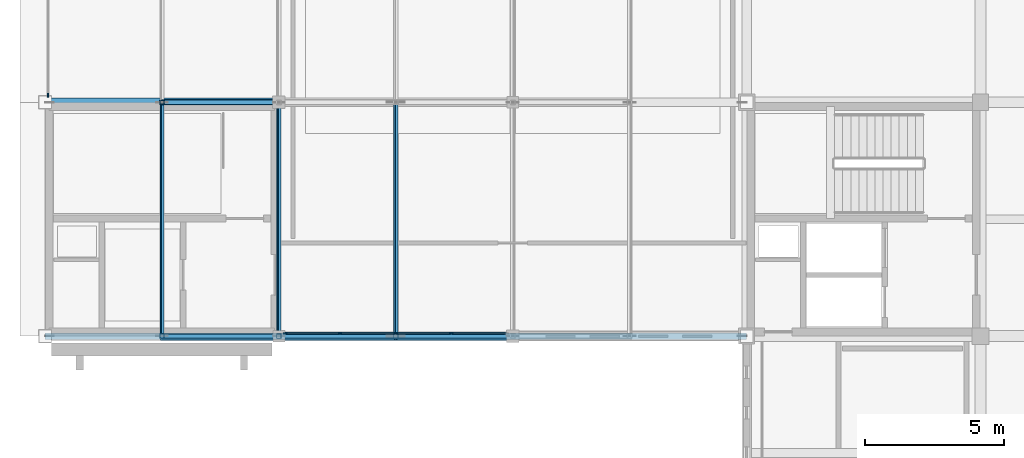
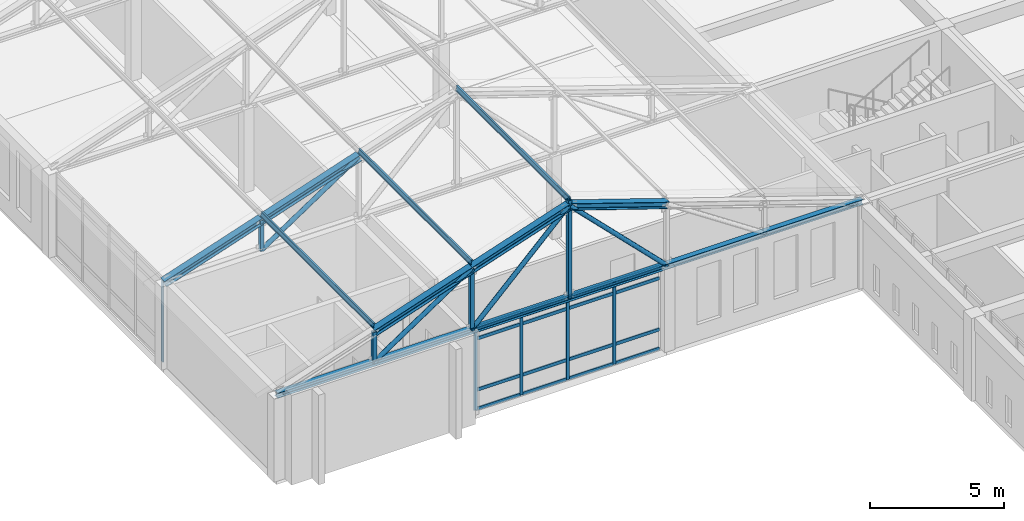
# One storey, part 11 of 56: 38 members, 2 elements without a shape of their own.
"""IFC4 building model written with IfcOpenShell, lengths in metres."""

from ifc_helpers import new_model, si_unit, direction, frame, origin, origin_2d, place, context, subcontext, project, spatial, rectangle, hollow_rectangle, hollow_circle, i_section, extrude, material, layer, layer_set, material_profile, profile_set, type_object, element, aggregate, save


model = new_model("IFC4")

# Units and contexts
model_context = context("Model", 3, precision=1e-05, world=origin(), true_north=direction((0.0, 1.0)))
body_context = subcontext(model_context, "Body", "Model", "MODEL_VIEW")
ifc_project = project(units=[si_unit("LENGTHUNIT", "METRE"), si_unit("AREAUNIT", "SQUARE_METRE"), si_unit("VOLUMEUNIT", "CUBIC_METRE"), si_unit("PLANEANGLEUNIT", "RADIAN"), si_unit("MASSUNIT", "GRAM", prefix="KILO")], contexts=[model_context])

# Site, building, storey
site_placement = place(None, origin())
site = spatial("IfcSite", under=ifc_project, at=site_placement, CompositionType="ELEMENT")
building_placement = place(site_placement, origin())
building = spatial("IfcBuilding", under=site, at=building_placement, Name="Kveldsbrygga Polytechnic", CompositionType="ELEMENT")
storey_placement = place(building_placement, frame((0.0, 0.0, 18.02001953125)))
storey = spatial("IfcBuildingStorey", under=building, at=storey_placement, Name="L04", CompositionType="ELEMENT", Elevation=18.02001953125)

# Curtain wall, member
ifc_material_1 = material(Name="Anodised aluminium AW-6060", Category="aluminium")
ifc_layer = layer(ifc_material_1, 0.199951171875)
ifc_layer_set = layer_set([ifc_layer], Name="Anodised aluminium AW-6060")
curtain_wall_type = type_object("IfcCurtainWallType", Name="CW-LANC-E", PredefinedType="USERDEFINED", material=ifc_layer_set)
curtain_wall_1_placement = place(storey_placement, origin())
curtain_wall_1 = element("IfcCurtainWall", 1, at=curtain_wall_1_placement, inside=storey, type_object=curtain_wall_type, Name="Curtain Wall CW-L04-Y-12-11", ObjectType="UNITISED CURTAIN WALL", PredefinedType="USERDEFINED")
ifc_material_profile_1 = material_profile(ifc_material_1, rectangle(XDim=0.06005859375, YDim=0.139892578125, at=origin_2d()), Name="ALU 60x140")
ifc_profile_set_1 = profile_set([ifc_material_profile_1], Name="Anodised aluminium AW-6060")
member_type_1 = type_object("IfcMemberType", Name="CW-MUL-140", PredefinedType="MULLION", material=ifc_profile_set_1)
member_1_placement = place(storey_placement, frame((100.89990234375, 92.655029296875, 0.0), z_axis=(0.0, 0.0, 1.0), x_axis=(-1.0, 0.0, 0.0)))
member_1 = element("IfcMember", 2, at=member_1_placement, type_object=member_type_1, Name="CW-05 mullion 1", PredefinedType="MULLION", context=body_context, shape_type="SweptSolid", body=[
    extrude(rectangle(XDim=0.06005859375, YDim=0.139892578125, at=origin_2d()), origin(), (0.0, 0.0, 1.0), 3.780029296875),
])
aggregate(curtain_wall_1, [member_1])

# Curtain wall, members
curtain_wall_2_placement = place(storey_placement, origin())
curtain_wall_2 = element("IfcCurtainWall", 3, at=curtain_wall_2_placement, inside=storey, type_object=curtain_wall_type, Name="Curtain Wall CW-L04-X-13-10", ObjectType="UNITISED CURTAIN WALL", PredefinedType="USERDEFINED")
member_2_placement = place(storey_placement, frame((109.425048828125, 84.10009765625, 0.0), z_axis=(0.0, 0.0, 1.0), x_axis=(0.0, 1.0, 0.0)))
member_2 = element("IfcMember", 4, at=member_2_placement, type_object=member_type_1, Name="CW-05 mullion 1", PredefinedType="MULLION", context=body_context, shape_type="SweptSolid", body=[
    extrude(rectangle(XDim=0.06005859375, YDim=0.139892578125, at=origin_2d()), origin(), (0.0, 0.0, 1.0), 3.780029296875),
])
member_3_placement = place(storey_placement, frame((111.393798828125, 84.10009765625, 0.0), z_axis=(0.0, 0.0, 1.0), x_axis=(0.0, 1.0, 0.0)))
member_3 = element("IfcMember", 5, at=member_3_placement, type_object=member_type_1, Name="CW-05 mullion 2", PredefinedType="MULLION", context=body_context, shape_type="SweptSolid", body=[
    extrude(rectangle(XDim=0.06005859375, YDim=0.139892578125, at=origin_2d()), origin(), (0.0, 0.0, 1.0), 3.780029296875),
])
member_4_placement = place(storey_placement, frame((113.392578125, 84.10009765625, 0.0), z_axis=(0.0, 0.0, 1.0), x_axis=(0.0, 1.0, 0.0)))
member_4 = element("IfcMember", 6, at=member_4_placement, type_object=member_type_1, Name="CW-05 mullion 3", PredefinedType="MULLION", context=body_context, shape_type="SweptSolid", body=[
    extrude(rectangle(XDim=0.06005859375, YDim=0.139892578125, at=origin_2d()), origin(), (0.0, 0.0, 1.0), 3.780029296875),
])
member_5_placement = place(storey_placement, frame((115.391357421875, 84.10009765625, 0.0), z_axis=(0.0, 0.0, 1.0), x_axis=(0.0, 1.0, 0.0)))
member_5 = element("IfcMember", 7, at=member_5_placement, type_object=member_type_1, Name="CW-05 mullion 4", PredefinedType="MULLION", context=body_context, shape_type="SweptSolid", body=[
    extrude(rectangle(XDim=0.06005859375, YDim=0.139892578125, at=origin_2d()), origin(), (0.0, 0.0, 1.0), 3.780029296875),
])
ifc_material_profile_2 = material_profile(ifc_material_1, rectangle(XDim=0.06005859375, YDim=0.14990234375, at=origin_2d()), Name="ALU 60x150")
ifc_profile_set_2 = profile_set([ifc_material_profile_2], Name="Anodised aluminium AW-6060")
member_type_2 = type_object("IfcMemberType", Name="CW-TRN-150", PredefinedType="USERDEFINED", material=ifc_profile_set_2)
member_6_placement = place(storey_placement, frame((109.455078125, 84.10009765625, 0.030029296875), z_axis=(1.0, 0.0, 0.0), x_axis=(0.0, 1.0, 0.0)))
member_6 = element("IfcMember", 8, at=member_6_placement, type_object=member_type_2, Name="CW-05 transom 1.1", ObjectType="TRANSOM", PredefinedType="USERDEFINED", context=body_context, shape_type="SweptSolid", body=[
    extrude(rectangle(XDim=0.06005859375, YDim=0.14990234375, at=origin_2d()), origin(), (0.0, 0.0, 1.0), 1.90869140625),
])
member_7_placement = place(storey_placement, frame((109.455078125, 84.10009765625, 0.89990234375), z_axis=(1.0, 0.0, 0.0), x_axis=(0.0, 1.0, 0.0)))
member_7 = element("IfcMember", 9, at=member_7_placement, type_object=member_type_2, Name="CW-05 transom 1.2", ObjectType="TRANSOM", PredefinedType="USERDEFINED", context=body_context, shape_type="SweptSolid", body=[
    extrude(rectangle(XDim=0.06005859375, YDim=0.14990234375, at=origin_2d()), origin(), (0.0, 0.0, 1.0), 1.90869140625),
])
member_8_placement = place(storey_placement, frame((109.455078125, 84.10009765625, 3.22998046875), z_axis=(1.0, 0.0, 0.0), x_axis=(0.0, 1.0, 0.0)))
member_8 = element("IfcMember", 10, at=member_8_placement, type_object=member_type_2, Name="CW-05 transom 1.3", ObjectType="TRANSOM", PredefinedType="USERDEFINED", context=body_context, shape_type="SweptSolid", body=[
    extrude(rectangle(XDim=0.06005859375, YDim=0.14990234375, at=origin_2d()), origin(), (0.0, 0.0, 1.0), 1.90869140625),
])
member_9_placement = place(storey_placement, frame((109.455078125, 84.10009765625, 3.75), z_axis=(1.0, 0.0, 0.0), x_axis=(0.0, 1.0, 0.0)))
member_9 = element("IfcMember", 11, at=member_9_placement, type_object=member_type_2, Name="CW-05 transom 1.4", ObjectType="TRANSOM", PredefinedType="USERDEFINED", context=body_context, shape_type="SweptSolid", body=[
    extrude(rectangle(XDim=0.06005859375, YDim=0.14990234375, at=origin_2d()), origin(), (0.0, 0.0, 1.0), 1.90869140625),
])
member_10_placement = place(storey_placement, frame((111.423828125, 84.10009765625, 0.030029296875), z_axis=(1.0, 0.0, 0.0), x_axis=(0.0, 1.0, 0.0)))
member_10 = element("IfcMember", 12, at=member_10_placement, type_object=member_type_2, Name="CW-05 transom 2.1", ObjectType="TRANSOM", PredefinedType="USERDEFINED", context=body_context, shape_type="SweptSolid", body=[
    extrude(rectangle(XDim=0.06005859375, YDim=0.14990234375, at=origin_2d()), origin(), (0.0, 0.0, 1.0), 1.938720703125),
])
member_11_placement = place(storey_placement, frame((111.423828125, 84.10009765625, 0.89990234375), z_axis=(1.0, 0.0, 0.0), x_axis=(0.0, 1.0, 0.0)))
member_11 = element("IfcMember", 13, at=member_11_placement, type_object=member_type_2, Name="CW-05 transom 2.2", ObjectType="TRANSOM", PredefinedType="USERDEFINED", context=body_context, shape_type="SweptSolid", body=[
    extrude(rectangle(XDim=0.06005859375, YDim=0.14990234375, at=origin_2d()), origin(), (0.0, 0.0, 1.0), 1.938720703125),
])
member_12_placement = place(storey_placement, frame((111.423828125, 84.10009765625, 3.22998046875), z_axis=(1.0, 0.0, 0.0), x_axis=(0.0, 1.0, 0.0)))
member_12 = element("IfcMember", 14, at=member_12_placement, type_object=member_type_2, Name="CW-05 transom 2.3", ObjectType="TRANSOM", PredefinedType="USERDEFINED", context=body_context, shape_type="SweptSolid", body=[
    extrude(rectangle(XDim=0.06005859375, YDim=0.14990234375, at=origin_2d()), origin(), (0.0, 0.0, 1.0), 1.938720703125),
])
member_13_placement = place(storey_placement, frame((111.423828125, 84.10009765625, 3.75), z_axis=(1.0, 0.0, 0.0), x_axis=(0.0, 1.0, 0.0)))
member_13 = element("IfcMember", 15, at=member_13_placement, type_object=member_type_2, Name="CW-05 transom 2.4", ObjectType="TRANSOM", PredefinedType="USERDEFINED", context=body_context, shape_type="SweptSolid", body=[
    extrude(rectangle(XDim=0.06005859375, YDim=0.14990234375, at=origin_2d()), origin(), (0.0, 0.0, 1.0), 1.938720703125),
])
member_14_placement = place(storey_placement, frame((113.422607421875, 84.10009765625, 0.030029296875), z_axis=(1.0, 0.0, 0.0), x_axis=(0.0, 1.0, 0.0)))
member_14 = element("IfcMember", 16, at=member_14_placement, type_object=member_type_2, Name="CW-05 transom 3.1", ObjectType="TRANSOM", PredefinedType="USERDEFINED", context=body_context, shape_type="SweptSolid", body=[
    extrude(rectangle(XDim=0.06005859375, YDim=0.14990234375, at=origin_2d()), origin(), (0.0, 0.0, 1.0), 1.938720703125),
])
member_15_placement = place(storey_placement, frame((113.422607421875, 84.10009765625, 0.89990234375), z_axis=(1.0, 0.0, 0.0), x_axis=(0.0, 1.0, 0.0)))
member_15 = element("IfcMember", 17, at=member_15_placement, type_object=member_type_2, Name="CW-05 transom 3.2", ObjectType="TRANSOM", PredefinedType="USERDEFINED", context=body_context, shape_type="SweptSolid", body=[
    extrude(rectangle(XDim=0.06005859375, YDim=0.14990234375, at=origin_2d()), origin(), (0.0, 0.0, 1.0), 1.938720703125),
])
member_16_placement = place(storey_placement, frame((113.422607421875, 84.10009765625, 3.22998046875), z_axis=(1.0, 0.0, 0.0), x_axis=(0.0, 1.0, 0.0)))
member_16 = element("IfcMember", 18, at=member_16_placement, type_object=member_type_2, Name="CW-05 transom 3.3", ObjectType="TRANSOM", PredefinedType="USERDEFINED", context=body_context, shape_type="SweptSolid", body=[
    extrude(rectangle(XDim=0.06005859375, YDim=0.14990234375, at=origin_2d()), origin(), (0.0, 0.0, 1.0), 1.938720703125),
])
member_17_placement = place(storey_placement, frame((113.422607421875, 84.10009765625, 3.75), z_axis=(1.0, 0.0, 0.0), x_axis=(0.0, 1.0, 0.0)))
member_17 = element("IfcMember", 19, at=member_17_placement, type_object=member_type_2, Name="CW-05 transom 3.4", ObjectType="TRANSOM", PredefinedType="USERDEFINED", context=body_context, shape_type="SweptSolid", body=[
    extrude(rectangle(XDim=0.06005859375, YDim=0.14990234375, at=origin_2d()), origin(), (0.0, 0.0, 1.0), 1.938720703125),
])
member_18_placement = place(storey_placement, frame((115.421142578125, 84.10009765625, 0.030029296875), z_axis=(1.0, 0.0, 0.0), x_axis=(0.0, 1.0, 0.0)))
member_18 = element("IfcMember", 20, at=member_18_placement, type_object=member_type_2, Name="CW-05 transom 4.1", ObjectType="TRANSOM", PredefinedType="USERDEFINED", context=body_context, shape_type="SweptSolid", body=[
    extrude(rectangle(XDim=0.06005859375, YDim=0.14990234375, at=origin_2d()), origin(), (0.0, 0.0, 1.0), 1.908935546875),
])
member_19_placement = place(storey_placement, frame((115.421142578125, 84.10009765625, 0.89990234375), z_axis=(1.0, 0.0, 0.0), x_axis=(0.0, 1.0, 0.0)))
member_19 = element("IfcMember", 21, at=member_19_placement, type_object=member_type_2, Name="CW-05 transom 4.2", ObjectType="TRANSOM", PredefinedType="USERDEFINED", context=body_context, shape_type="SweptSolid", body=[
    extrude(rectangle(XDim=0.06005859375, YDim=0.14990234375, at=origin_2d()), origin(), (0.0, 0.0, 1.0), 1.908935546875),
])
member_20_placement = place(storey_placement, frame((115.421142578125, 84.10009765625, 3.22998046875), z_axis=(1.0, 0.0, 0.0), x_axis=(0.0, 1.0, 0.0)))
member_20 = element("IfcMember", 22, at=member_20_placement, type_object=member_type_2, Name="CW-05 transom 4.3", ObjectType="TRANSOM", PredefinedType="USERDEFINED", context=body_context, shape_type="SweptSolid", body=[
    extrude(rectangle(XDim=0.06005859375, YDim=0.14990234375, at=origin_2d()), origin(), (0.0, 0.0, 1.0), 1.908935546875),
])
member_21_placement = place(storey_placement, frame((115.421142578125, 84.10009765625, 3.75), z_axis=(1.0, 0.0, 0.0), x_axis=(0.0, 1.0, 0.0)))
member_21 = element("IfcMember", 23, at=member_21_placement, type_object=member_type_2, Name="CW-05 transom 4.4", ObjectType="TRANSOM", PredefinedType="USERDEFINED", context=body_context, shape_type="SweptSolid", body=[
    extrude(rectangle(XDim=0.06005859375, YDim=0.14990234375, at=origin_2d()), origin(), (0.0, 0.0, 1.0), 1.908935546875),
])
aggregate(curtain_wall_2, [member_2, member_3, member_4, member_5, member_6, member_7, member_8, member_9, member_10, member_11, member_12, member_13, member_14, member_15, member_16, member_17, member_18, member_19, member_20, member_21])

# Members
ifc_material_2 = material(Name="Steel S355", Category="steel")
ifc_material_profile_3 = material_profile(ifc_material_2, i_section(OverallWidth=0.10009765625, OverallDepth=0.199951171875, WebThickness=0.005615234375, FlangeThickness=0.008544921875, FilletRadius=0.011962890625, at=origin_2d()), Name="IPE 200")
ifc_profile_set_3 = profile_set([ifc_material_profile_3], Name="Steel S355")
member_type_3 = type_object("IfcMemberType", Name="PRL-IPE200", PredefinedType="PURLIN", material=ifc_profile_set_3)
for number, where, z_axis, x_axis, name in (
    (24, (105.0, 84.0, 5.438232421875), (0.0, 1.0, 0.0), (-0.948683567514, 0.0, 0.316226957624), "Roof Purlin V4NE5-PRL-1-1"),
    (25, (109.199951171875, 84.0, 6.838134765625), (0.0, 1.0, 0.0), (-0.948683567514, 0.0, 0.316226957624), "Roof Purlin V4NE5-PRL-1-2"),
    (26, (113.39990234375, 84.0, 8.23828125), (0.0, 1.0, 0.0), (-0.948683567514, 0.0, 0.316226957624), "Roof Purlin V4NE5-PRL-1-3"),
):
    element("IfcMember", number, at=place(storey_placement, frame(where, z_axis=z_axis, x_axis=x_axis)), inside=storey, type_object=member_type_3, Name=name, PredefinedType="PURLIN", context=body_context, shape_type="SweptSolid", body=[
        extrude(i_section(OverallWidth=0.10009765625, OverallDepth=0.199951171875, WebThickness=0.005615234375, FlangeThickness=0.008544921875, FilletRadius=0.011962890625, at=origin_2d()), origin(), (0.0, 0.0, 1.0), 8.39990234375),
    ])
ifc_material_profile_4 = material_profile(ifc_material_2, i_section(OverallWidth=0.239990234375, OverallDepth=0.22998046875, WebThickness=0.007568359375, FlangeThickness=0.011962890625, FilletRadius=0.02099609375, at=origin_2d()), Name="HEA 240")
ifc_profile_set_4 = profile_set([ifc_material_profile_4], Name="Steel S355")
member_type_4 = type_object("IfcMemberType", Name="TR-BOT-HEA240", PredefinedType="CHORD", material=ifc_profile_set_4)
member_22_placement = place(storey_placement, frame((100.800048828125, 84.0, 3.780029296875), z_axis=(1.0, 0.0, 0.0), x_axis=(0.0, 1.0, 0.0)))
element("IfcMember", 27, at=member_22_placement, inside=storey, type_object=member_type_4, Name="Truss Bottom Chord V4NE5-T01-BC-1", PredefinedType="CHORD", context=body_context, shape_type="SweptSolid", body=[
    extrude(i_section(OverallWidth=0.239990234375, OverallDepth=0.22998046875, WebThickness=0.007568359375, FlangeThickness=0.011962890625, FilletRadius=0.02099609375, at=origin_2d()), origin(), (0.0, 0.0, 1.0), 25.199951171875),
])
ifc_material_profile_5 = material_profile(ifc_material_2, hollow_circle(Radius=0.096923828125, WallThickness=0.010009765625, at=origin_2d()), Name="CHS 193.7x10.0")
ifc_profile_set_5 = profile_set([ifc_material_profile_5], Name="Steel S355")
member_type_5 = type_object("IfcMemberType", Name="TR-DIAG-CHS194", PredefinedType="BRACE", material=ifc_profile_set_5)
member_23_placement = place(storey_placement, frame((105.0, 84.0, 3.780029296875), z_axis=(0.832042853317, 0.0, 0.554711357594), x_axis=(0.0, 1.0, 0.0)))
element("IfcMember", 28, at=member_23_placement, inside=storey, type_object=member_type_5, Name="Truss Diagonal V4NE5-T01-DG-2", PredefinedType="BRACE", context=body_context, shape_type="SweptSolid", body=[
    extrude(hollow_circle(Radius=0.096923828125, WallThickness=0.010009765625, at=origin_2d()), origin(), (0.0, 0.0, 1.0), 5.0478515625),
])
for number, where, z_axis, x_axis, name in (
    (29, (109.199951171875, 84.0, 3.780029296875), (0.707106781187, 0.0, 0.707106781187), (0.0, 1.0, 0.0), "Truss Diagonal V4NE5-T01-DG-3"),
    (30, (113.39990234375, 84.0, 7.97998046875), (0.707127332136, 0.0, -0.70708622964), (0.0, 1.0, 0.0), "Truss Diagonal V4NE5-T01-DG-4"),
):
    element("IfcMember", number, at=place(storey_placement, frame(where, z_axis=z_axis, x_axis=x_axis)), inside=storey, type_object=member_type_5, Name=name, PredefinedType="BRACE", context=body_context, shape_type="SweptSolid", body=[
        extrude(hollow_circle(Radius=0.096923828125, WallThickness=0.010009765625, at=origin_2d()), origin(), (0.0, 0.0, 1.0), 5.939697265625),
    ])
member_24_placement = place(storey_placement, frame((105.0, 92.39990234375, 3.780029296875), z_axis=(0.832042853317, 0.0, 0.554711357594), x_axis=(0.0, 1.0, 0.0)))
element("IfcMember", 31, at=member_24_placement, inside=storey, type_object=member_type_5, Name="Truss Diagonal V4NE5-T02-DG-2", PredefinedType="BRACE", context=body_context, shape_type="SweptSolid", body=[
    extrude(hollow_circle(Radius=0.096923828125, WallThickness=0.010009765625, at=origin_2d()), origin(), (0.0, 0.0, 1.0), 5.0478515625),
])
ifc_material_profile_6 = material_profile(ifc_material_2, hollow_rectangle(XDim=0.159912109375, YDim=0.159912109375, WallThickness=0.010009765625, at=origin_2d()), Name="SHS 160x160x10.0")
ifc_profile_set_6 = profile_set([ifc_material_profile_6], Name="Steel S355")
member_type_6 = type_object("IfcMemberType", Name="TR-POST-SHS160", PredefinedType="STRUT", material=ifc_profile_set_6)
member_25_placement = place(storey_placement, frame((105.0, 84.0, 3.780029296875), z_axis=(0.0, 0.0, 1.0), x_axis=(1.0, 0.0, 0.0)))
element("IfcMember", 32, at=member_25_placement, inside=storey, type_object=member_type_6, Name="Truss Vertical V4NE5-T01-VT-1", PredefinedType="STRUT", context=body_context, shape_type="SweptSolid", body=[
    extrude(hollow_rectangle(XDim=0.159912109375, YDim=0.159912109375, WallThickness=0.010009765625, at=origin_2d()), origin(), (0.0, 0.0, 1.0), 1.39990234375),
])
member_26_placement = place(storey_placement, frame((109.199951171875, 84.0, 3.780029296875), z_axis=(0.0, 0.0, 1.0), x_axis=(1.0, 0.0, 0.0)))
element("IfcMember", 33, at=member_26_placement, inside=storey, type_object=member_type_6, Name="Truss Vertical V4NE5-T01-VT-2", PredefinedType="STRUT", context=body_context, shape_type="SweptSolid", body=[
    extrude(hollow_rectangle(XDim=0.159912109375, YDim=0.159912109375, WallThickness=0.010009765625, at=origin_2d()), origin(), (0.0, 0.0, 1.0), 2.800048828125),
])
member_27_placement = place(storey_placement, frame((113.39990234375, 84.0, 3.780029296875), z_axis=(0.0, 0.0, 1.0), x_axis=(1.0, 0.0, 0.0)))
element("IfcMember", 34, at=member_27_placement, inside=storey, type_object=member_type_6, Name="Truss Vertical V4NE5-T01-VT-3", PredefinedType="STRUT", context=body_context, shape_type="SweptSolid", body=[
    extrude(hollow_rectangle(XDim=0.159912109375, YDim=0.159912109375, WallThickness=0.010009765625, at=origin_2d()), origin(), (0.0, 0.0, 1.0), 4.458251953125),
])
member_28_placement = place(storey_placement, frame((105.0, 92.39990234375, 3.780029296875), z_axis=(0.0, 0.0, 1.0), x_axis=(1.0, 0.0, 0.0)))
element("IfcMember", 35, at=member_28_placement, inside=storey, type_object=member_type_6, Name="Truss Vertical V4NE5-T02-VT-1", PredefinedType="STRUT", context=body_context, shape_type="SweptSolid", body=[
    extrude(hollow_rectangle(XDim=0.159912109375, YDim=0.159912109375, WallThickness=0.010009765625, at=origin_2d()), origin(), (0.0, 0.0, 1.0), 1.39990234375),
])
ifc_material_profile_7 = material_profile(ifc_material_2, i_section(OverallWidth=0.300048828125, OverallDepth=0.2900390625, WebThickness=0.008544921875, FlangeThickness=0.013916015625, FilletRadius=0.027099609375, at=origin_2d()), Name="HEA 300")
ifc_profile_set_7 = profile_set([ifc_material_profile_7], Name="Steel S355")
member_type_7 = type_object("IfcMemberType", Name="TR-TOP-HEA300", PredefinedType="CHORD", material=ifc_profile_set_7)
member_29_placement = place(storey_placement, frame((105.0, 84.0, 5.179931640625), z_axis=(0.948672268324, 0.0, 0.316260853272), x_axis=(0.0, 1.0, 0.0)))
element("IfcMember", 36, at=member_29_placement, inside=storey, type_object=member_type_7, Name="Truss Top Chord V4NE5-T01-TC-2", PredefinedType="CHORD", context=body_context, shape_type="SweptSolid", body=[
    extrude(i_section(OverallWidth=0.300048828125, OverallDepth=0.2900390625, WebThickness=0.008544921875, FlangeThickness=0.013916015625, FilletRadius=0.027099609375, at=origin_2d()), origin(), (0.0, 0.0, 1.0), 4.42724609375),
])
member_30_placement = place(storey_placement, frame((109.199951171875, 84.0, 6.580078125), z_axis=(0.948688812577, 0.0, 0.316211221956), x_axis=(0.0, 1.0, 0.0)))
element("IfcMember", 37, at=member_30_placement, inside=storey, type_object=member_type_7, Name="Truss Top Chord V4NE5-T01-TC-3", PredefinedType="CHORD", context=body_context, shape_type="SweptSolid", body=[
    extrude(i_section(OverallWidth=0.300048828125, OverallDepth=0.2900390625, WebThickness=0.008544921875, FlangeThickness=0.013916015625, FilletRadius=0.027099609375, at=origin_2d()), origin(), (0.0, 0.0, 1.0), 4.427001953125),
])
member_31_placement = place(storey_placement, frame((113.39990234375, 84.0, 7.97998046875), z_axis=(0.948694326238, 0.0, -0.316194679531), x_axis=(0.0, 1.0, 0.0)))
element("IfcMember", 38, at=member_31_placement, inside=storey, type_object=member_type_7, Name="Truss Top Chord V4NE5-T01-TC-4", PredefinedType="CHORD", context=body_context, shape_type="SweptSolid", body=[
    extrude(i_section(OverallWidth=0.300048828125, OverallDepth=0.2900390625, WebThickness=0.008544921875, FlangeThickness=0.013916015625, FilletRadius=0.027099609375, at=origin_2d()), origin(), (0.0, 0.0, 1.0), 4.42724609375),
])
member_32_placement = place(storey_placement, frame((100.800048828125, 92.39990234375, 3.780029296875), z_axis=(0.948688812577, 0.0, 0.316211221956), x_axis=(0.0, 1.0, 0.0)))
element("IfcMember", 39, at=member_32_placement, inside=storey, type_object=member_type_7, Name="Truss Top Chord V4NE5-T02-TC-1", PredefinedType="CHORD", context=body_context, shape_type="SweptSolid", body=[
    extrude(i_section(OverallWidth=0.300048828125, OverallDepth=0.2900390625, WebThickness=0.008544921875, FlangeThickness=0.013916015625, FilletRadius=0.027099609375, at=origin_2d()), origin(), (0.0, 0.0, 1.0), 4.427001953125),
])
member_33_placement = place(storey_placement, frame((105.0, 92.39990234375, 5.179931640625), z_axis=(0.948672268324, 0.0, 0.316260853272), x_axis=(0.0, 1.0, 0.0)))
element("IfcMember", 40, at=member_33_placement, inside=storey, type_object=member_type_7, Name="Truss Top Chord V4NE5-T02-TC-2", PredefinedType="CHORD", context=body_context, shape_type="SweptSolid", body=[
    extrude(i_section(OverallWidth=0.300048828125, OverallDepth=0.2900390625, WebThickness=0.008544921875, FlangeThickness=0.013916015625, FilletRadius=0.027099609375, at=origin_2d()), origin(), (0.0, 0.0, 1.0), 4.42724609375),
])

save(model, "model.ifc")
